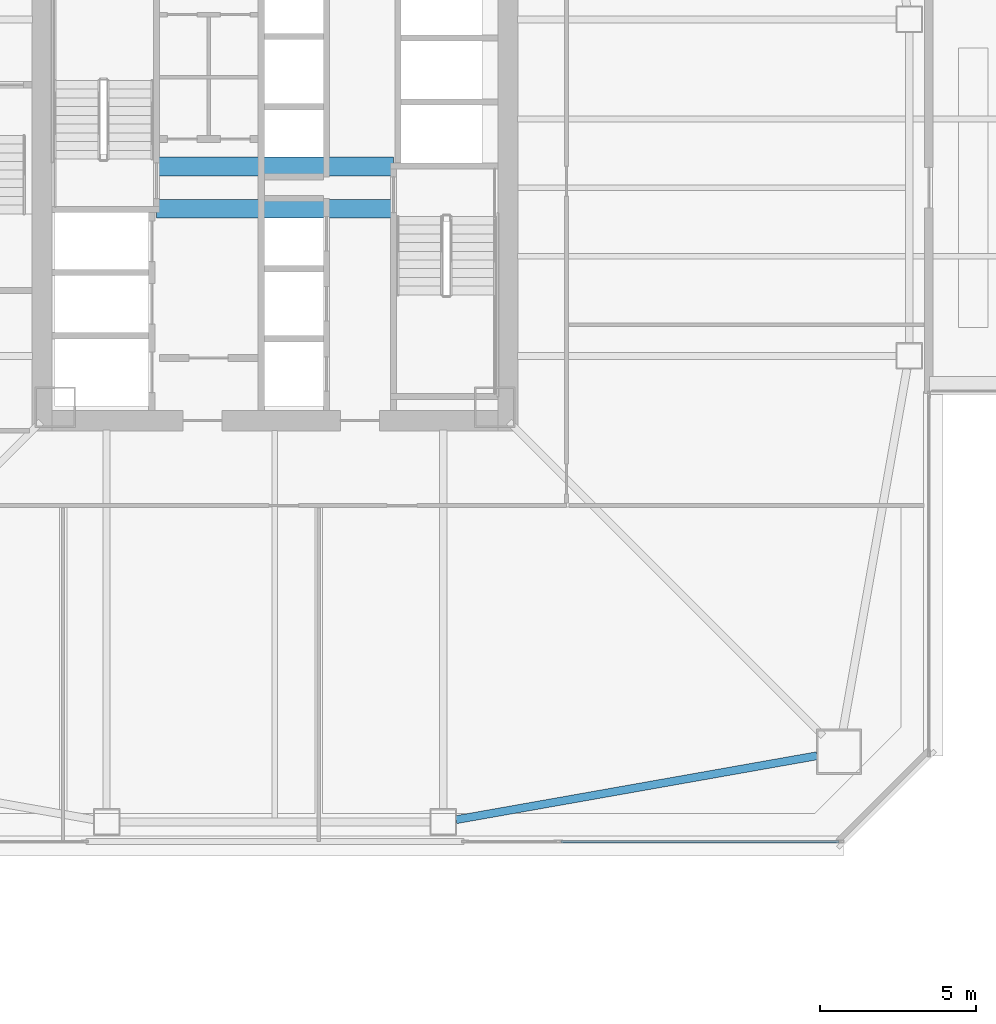
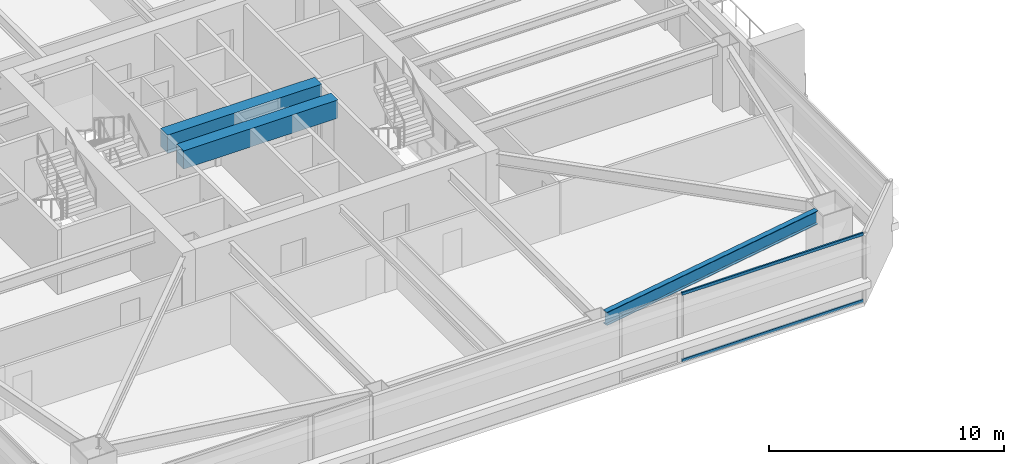
# One storey, part 7 of 44: 3 beams, 2 members, 1 element without a shape of its own.
"""IFC4 building model written with IfcOpenShell, lengths in metres."""

from ifc_helpers import new_model, si_unit, direction, frame, origin, origin_2d, place, context, subcontext, project, spatial, rectangle, hollow_rectangle, i_section, extrude, material, material_profile, profile_set, type_object, element, aggregate, save


model = new_model("IFC4")

# Units and contexts
model_context = context("Model", 3, precision=1e-05, world=origin(), true_north=direction((0.0, 1.0)))
body_context = subcontext(model_context, "Body", "Model", "MODEL_VIEW")
ifc_project = project(units=[si_unit("LENGTHUNIT", "METRE"), si_unit("AREAUNIT", "SQUARE_METRE"), si_unit("VOLUMEUNIT", "CUBIC_METRE"), si_unit("PLANEANGLEUNIT", "RADIAN"), si_unit("MASSUNIT", "GRAM", prefix="KILO")], contexts=[model_context])

# Site, building, storey
site_placement = place(None, origin())
site = spatial("IfcSite", under=ifc_project, at=site_placement, CompositionType="ELEMENT")
building_placement = place(site_placement, origin())
building = spatial("IfcBuilding", under=site, at=building_placement, Name="Tashvorn Skyway Center", CompositionType="ELEMENT")
storey_placement = place(building_placement, frame((0.0, 0.0, 102.699951171875)))
storey = spatial("IfcBuildingStorey", under=building, at=storey_placement, Name="L27", CompositionType="ELEMENT", Elevation=102.699951171875)

# Beams
ifc_material_1 = material(Name="Concrete C60/75", Category="concrete")
ifc_material_profile_1 = material_profile(ifc_material_1, rectangle(XDim=0.60009765625, YDim=0.949951171875, at=origin_2d()), Name="RCB600x950")
ifc_profile_set_1 = profile_set([ifc_material_profile_1], Name="Concrete C60/75")
beam_type_1 = type_object("IfcBeamType", Name="BM-LINTEL-RCB600x950", PredefinedType="LINTEL", material=ifc_profile_set_1)
for number, where, z_axis, x_axis, name in (
    (1, (38.199951171875, 32.679931640625, 2.875), (1.0, 0.0, 0.0), (0.0, 1.0, 0.0), "Tower 1 L27 Core Coupling Beam CN"),
    (2, (38.199951171875, 31.320068359375, 2.875), (1.0, 0.0, 0.0), (0.0, 1.0, 0.0), "Tower 1 L27 Core Coupling Beam CS"),
):
    element("IfcBeam", number, at=place(storey_placement, frame(where, z_axis=z_axis, x_axis=x_axis)), inside=storey, type_object=beam_type_1, Name=name, PredefinedType="LINTEL", context=body_context, shape_type="SweptSolid", body=[
        extrude(rectangle(XDim=0.60009765625, YDim=0.949951171875, at=origin_2d()), origin(), (0.0, 0.0, 1.0), 7.60009765625),
    ])
ifc_material_2 = material(Name="Steel ASTM A992 Grade 50", Category="steel")
ifc_material_profile_2 = material_profile(ifc_material_2, i_section(OverallWidth=0.256103515625, OverallDepth=0.693115234375, WebThickness=0.014404296875, FlangeThickness=0.023681640625, at=origin_2d()), Name="W27X114")
ifc_profile_set_2 = profile_set([ifc_material_profile_2], Name="Steel ASTM A992 Grade 50")
beam_type_2 = type_object("IfcBeamType", Name="BM-SPANDREL-W27X114", PredefinedType="SPANDREL", material=ifc_profile_set_2)
beam_placement = place(storey_placement, frame((47.8134765625, 11.723388671875, 3.003662109375), z_axis=(0.98466816531, 0.174437966698, 0.0), x_axis=(-0.174437966698, 0.98466816531, 0.0)))
element("IfcBeam", 3, at=beam_placement, inside=storey, type_object=beam_type_2, Name="Tower 1 L27 Spandrel Beam 03", PredefinedType="SPANDREL", context=body_context, shape_type="SweptSolid", body=[
    extrude(i_section(OverallWidth=0.256103515625, OverallDepth=0.693115234375, WebThickness=0.014404296875, FlangeThickness=0.023681640625, at=origin_2d()), origin(), (0.0, 0.0, 1.0), 11.7578125),
])

# Curtain wall, members
ifc_material_3 = material(Name="Thermally broken bronze-anodized aluminium 6063-T6", Category="aluminium")
curtain_wall_type = type_object("IfcCurtainWallType", Name="CW-CW-Z2", PredefinedType="NOTDEFINED", material=ifc_material_3)
curtain_wall_placement = place(storey_placement, origin())
curtain_wall = element("IfcCurtainWall", 4, at=curtain_wall_placement, inside=storey, type_object=curtain_wall_type, Name="Tower 1 L27 South Unitised Curtain Wall Glazing Group 1", PredefinedType="NOTDEFINED")
ifc_material_profile_3 = material_profile(ifc_material_3, hollow_rectangle(XDim=0.080078125, YDim=0.14990234375, WallThickness=0.00439453125, at=origin_2d()), Name="ALU-TRAN-80x150")
ifc_profile_set_3 = profile_set([ifc_material_profile_3], Name="Thermally broken bronze-anodized aluminium 6063-T6")
member_type = type_object("IfcMemberType", Name="CWT-CW-Z2", PredefinedType="USERDEFINED", material=ifc_profile_set_3)
member_1_placement = place(storey_placement, frame((60.10009765625, 11.02001953125, 0.0400390625), z_axis=(-1.0, 0.0, 0.0), x_axis=(0.0, -1.0, 0.0)))
member_1 = element("IfcMember", 5, at=member_1_placement, type_object=member_type, Name="CW-Z2 transom 1.1", ObjectType="TRANSOM", PredefinedType="USERDEFINED", context=body_context, shape_type="SweptSolid", body=[
    extrude(hollow_rectangle(XDim=0.080078125, YDim=0.14990234375, WallThickness=0.00439453125, at=origin_2d()), origin(), (0.0, 0.0, 1.0), 8.93017578125),
])
member_2_placement = place(storey_placement, frame((60.10009765625, 11.02001953125, 3.510009765625), z_axis=(-1.0, 0.0, 0.0), x_axis=(0.0, -1.0, 0.0)))
member_2 = element("IfcMember", 6, at=member_2_placement, type_object=member_type, Name="CW-Z2 transom 1.2", ObjectType="TRANSOM", PredefinedType="USERDEFINED", context=body_context, shape_type="SweptSolid", body=[
    extrude(hollow_rectangle(XDim=0.080078125, YDim=0.14990234375, WallThickness=0.00439453125, at=origin_2d()), origin(), (0.0, 0.0, 1.0), 8.93017578125),
])
aggregate(curtain_wall, [member_1, member_2])

save(model, "model.ifc")
